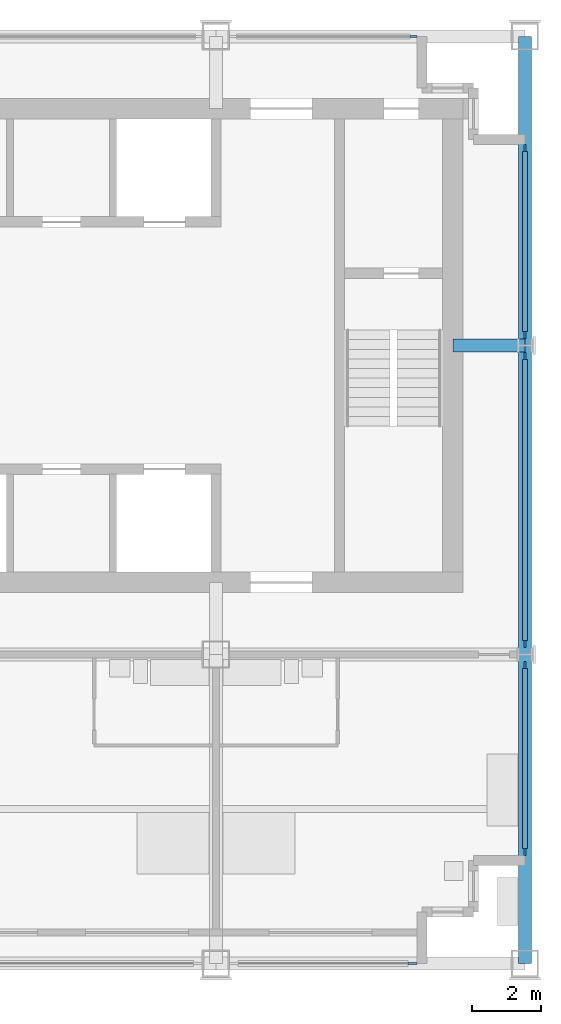
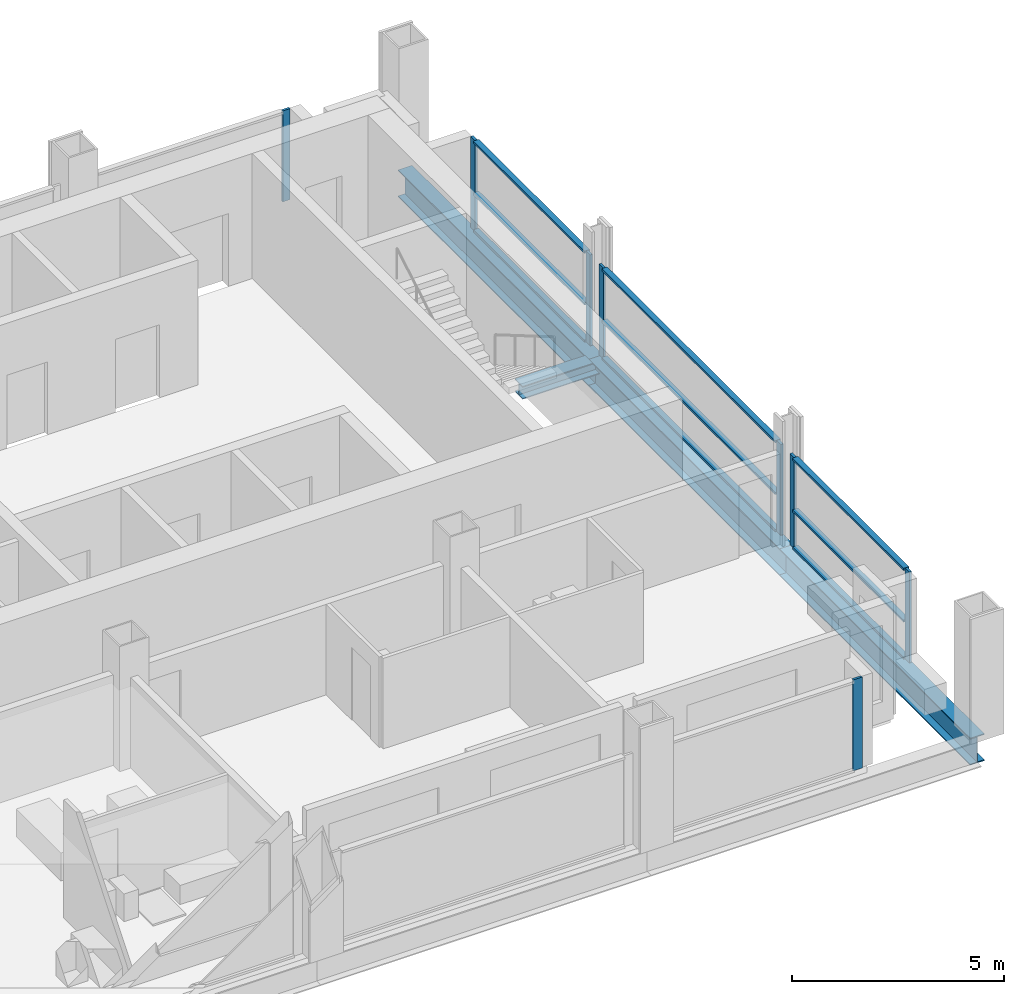
# One storey, part 4 of 11: 18 members, 3 beams, 5 elements without a shape of their own.
"""IFC4 building model written with IfcOpenShell, lengths in metres."""

from ifc_helpers import new_model, si_unit, direction, frame, origin, origin_2d, place, context, subcontext, project, spatial, rectangle, i_section, extrude, material, material_profile, profile_set, type_object, element, aggregate, save


model = new_model("IFC4")

# Units and contexts
model_context = context("Model", 3, precision=1e-05, world=origin(), true_north=direction((0.0, 1.0)))
body_context = subcontext(model_context, "Body", "Model", "MODEL_VIEW")
ifc_project = project(units=[si_unit("LENGTHUNIT", "METRE"), si_unit("AREAUNIT", "SQUARE_METRE"), si_unit("VOLUMEUNIT", "CUBIC_METRE"), si_unit("PLANEANGLEUNIT", "RADIAN"), si_unit("MASSUNIT", "GRAM", prefix="KILO")], contexts=[model_context])

# Site, building, storey
site_placement = place(None, origin())
site = spatial("IfcSite", under=ifc_project, at=site_placement, CompositionType="ELEMENT")
building_placement = place(site_placement, origin())
building = spatial("IfcBuilding", under=site, at=building_placement, Name="Loomwork Tower", CompositionType="ELEMENT")
storey_placement = place(building_placement, frame((0.0, 0.0, 241.0)))
storey = spatial("IfcBuildingStorey", under=building, at=storey_placement, Name="L66", CompositionType="ELEMENT", Elevation=241.0)

# Member
ifc_material_1 = material(Name="Steel ASTM A992", Category="steel")
ifc_material_profile_1 = material_profile(ifc_material_1, i_section(OverallWidth=0.373291015625, OverallDepth=0.373291015625, WebThickness=0.016357421875, FlangeThickness=0.026123046875, at=origin_2d()), Name="W14x132")
ifc_profile_set_1 = profile_set([ifc_material_profile_1], Name="Steel ASTM A992")
member_type_1 = type_object("IfcMemberType", Name="CORE LINK STRUT W14x132", PredefinedType="STRUT", material=ifc_profile_set_1)
member_1_placement = place(storey_placement, frame((36.0, 18.0, -0.38671875), z_axis=(-1.0, 0.0, 0.0), x_axis=(0.0, -1.0, 0.0)))
element("IfcMember", 1, at=member_1_placement, inside=storey, type_object=member_type_1, Name="Core link strut F/6-33.900,18.000 L66", PredefinedType="STRUT", context=body_context, shape_type="SweptSolid", body=[
    extrude(i_section(OverallWidth=0.373291015625, OverallDepth=0.373291015625, WebThickness=0.016357421875, FlangeThickness=0.026123046875, at=origin_2d()), origin(), (0.0, 0.0, 1.0), 2.10009765625),
])

# Curtain wall, member
ifc_material_2 = material(Name="Aluminium curtain wall frame", Category="aluminium")
curtain_wall_type_1 = type_object("IfcCurtainWallType", Name="Outer skin glazing suites", PredefinedType="NOTDEFINED", material=ifc_material_2)
curtain_wall_1_placement = place(storey_placement, origin())
curtain_wall_1 = element("IfcCurtainWall", 2, at=curtain_wall_1_placement, inside=storey, type_object=curtain_wall_type_1, Name="Outer skin glazing suites cw/S-27", PredefinedType="NOTDEFINED")
ifc_material_3 = material(Name="Aluminium curtain wall frame", Category="aluminium")
ifc_material_profile_2 = material_profile(ifc_material_3, rectangle(XDim=0.06494140625, YDim=0.25, at=origin_2d()), Name="AL 65x250")
ifc_profile_set_2 = profile_set([ifc_material_profile_2], Name="Aluminium curtain wall frame")
member_type_2 = type_object("IfcMemberType", Name="Outer skin glazing suites mullion", PredefinedType="MULLION", material=ifc_profile_set_2)
member_2_placement = place(storey_placement, frame((32.72509765625, 0.0, 0.0), z_axis=(0.0, 0.0, 1.0), x_axis=(0.0, 1.0, 0.0)))
member_2 = element("IfcMember", 3, at=member_2_placement, type_object=member_type_2, Name="CW2 mullion 2", PredefinedType="MULLION", context=body_context, shape_type="SweptSolid", body=[
    extrude(rectangle(XDim=0.06494140625, YDim=0.25, at=origin_2d()), origin(), (0.0, 0.0, 1.0), 2.6201171875),
])
aggregate(curtain_wall_1, [member_2])

# Beams
ifc_material_4 = material(Name="Steel ASTM A992", Category="steel")
ifc_material_profile_3 = material_profile(ifc_material_4, i_section(OverallWidth=0.381103515625, OverallDepth=0.77978515625, WebThickness=0.01806640625, FlangeThickness=0.0302734375, at=origin_2d()), Name="W30x191")
ifc_profile_set_3 = profile_set([ifc_material_profile_3], Name="Steel ASTM A992")
beam_type = type_object("IfcBeamType", Name="SPANDREL GIRDER W30x191", PredefinedType="SPANDREL", material=ifc_profile_set_3)
for number, where, z_axis, x_axis, name in (
    (4, (36.0, 0.0, -0.58984375), (0.0, 1.0, 0.0), (-1.0, 0.0, 0.0), "Spandrel Girder D/6-E/6 L66"),
    (5, (36.0, 9.0, -0.58984375), (0.0, 1.0, 0.0), (-1.0, 0.0, 0.0), "Spandrel Girder E/6-F/6 L66"),
    (6, (36.0, 18.0, -0.58984375), (0.0, 1.0, 0.0), (-1.0, 0.0, 0.0), "Spandrel Girder F/6-G/6 L66"),
):
    element("IfcBeam", number, at=place(storey_placement, frame(where, z_axis=z_axis, x_axis=x_axis)), inside=storey, type_object=beam_type, Name=name, PredefinedType="SPANDREL", context=body_context, shape_type="SweptSolid", body=[
        extrude(i_section(OverallWidth=0.381103515625, OverallDepth=0.77978515625, WebThickness=0.01806640625, FlangeThickness=0.0302734375, at=origin_2d()), origin(), (0.0, 0.0, 1.0), 9.0),
    ])

# Curtain wall, member
ifc_material_5 = material(Name="Aluminium curtain wall frame", Category="aluminium")
curtain_wall_type_2 = type_object("IfcCurtainWallType", Name="Single skin glazing corridor", PredefinedType="NOTDEFINED", material=ifc_material_5)
curtain_wall_2_placement = place(storey_placement, origin())
curtain_wall_2 = element("IfcCurtainWall", 7, at=curtain_wall_2_placement, inside=storey, type_object=curtain_wall_type_2, Name="Single skin glazing corridor cw/N-27", PredefinedType="NOTDEFINED")
ifc_material_6 = material(Name="Aluminium curtain wall frame", Category="aluminium")
ifc_material_profile_4 = material_profile(ifc_material_6, rectangle(XDim=0.06494140625, YDim=0.199951171875, at=origin_2d()), Name="AL 65x200")
ifc_profile_set_4 = profile_set([ifc_material_profile_4], Name="Aluminium curtain wall frame")
member_type_3 = type_object("IfcMemberType", Name="Single skin glazing corridor mullion", PredefinedType="MULLION", material=ifc_profile_set_4)
member_3_placement = place(storey_placement, frame((32.75, 27.0, 0.0), z_axis=(0.0, 0.0, 1.0), x_axis=(0.0, -1.0, 0.0)))
member_3 = element("IfcMember", 8, at=member_3_placement, type_object=member_type_3, Name="CW3 mullion 1", PredefinedType="MULLION", context=body_context, shape_type="SweptSolid", body=[
    extrude(rectangle(XDim=0.06494140625, YDim=0.199951171875, at=origin_2d()), origin(), (0.0, 0.0, 1.0), 2.6201171875),
])
aggregate(curtain_wall_2, [member_3])

# Curtain wall, members
curtain_wall_3_placement = place(storey_placement, origin())
curtain_wall_3 = element("IfcCurtainWall", 9, at=curtain_wall_3_placement, inside=storey, type_object=curtain_wall_type_2, Name="Single skin glazing corridor cw/E-0", PredefinedType="NOTDEFINED")
member_4_placement = place(storey_placement, frame((36.0, 3.25, 0.0), z_axis=(0.0, 0.0, 1.0), x_axis=(-1.0, 0.0, 0.0)))
member_4 = element("IfcMember", 10, at=member_4_placement, type_object=member_type_3, Name="CW3 mullion 1", PredefinedType="MULLION", context=body_context, shape_type="SweptSolid", body=[
    extrude(rectangle(XDim=0.06494140625, YDim=0.199951171875, at=origin_2d()), origin(), (0.0, 0.0, 1.0), 2.6201171875),
])
member_5_placement = place(storey_placement, frame((36.0, 8.689208984375, 0.0), z_axis=(0.0, 0.0, 1.0), x_axis=(-1.0, 0.0, 0.0)))
member_5 = element("IfcMember", 11, at=member_5_placement, type_object=member_type_3, Name="CW3 mullion 2", PredefinedType="MULLION", context=body_context, shape_type="SweptSolid", body=[
    extrude(rectangle(XDim=0.06494140625, YDim=0.199951171875, at=origin_2d()), origin(), (0.0, 0.0, 1.0), 2.6201171875),
])

curtain_wall_4_placement = place(storey_placement, origin())
curtain_wall_4 = element("IfcCurtainWall", 12, at=curtain_wall_4_placement, inside=storey, type_object=curtain_wall_type_2, Name="Single skin glazing corridor cw/E-9", PredefinedType="NOTDEFINED")
member_6_placement = place(storey_placement, frame((36.0, 9.310791015625, 0.0), z_axis=(0.0, 0.0, 1.0), x_axis=(-1.0, 0.0, 0.0)))
member_6 = element("IfcMember", 13, at=member_6_placement, type_object=member_type_3, Name="CW3 mullion 1", PredefinedType="MULLION", context=body_context, shape_type="SweptSolid", body=[
    extrude(rectangle(XDim=0.06494140625, YDim=0.199951171875, at=origin_2d()), origin(), (0.0, 0.0, 1.0), 2.6201171875),
])
member_7_placement = place(storey_placement, frame((36.0, 17.689208984375, 0.0), z_axis=(0.0, 0.0, 1.0), x_axis=(-1.0, 0.0, 0.0)))
member_7 = element("IfcMember", 14, at=member_7_placement, type_object=member_type_3, Name="CW3 mullion 2", PredefinedType="MULLION", context=body_context, shape_type="SweptSolid", body=[
    extrude(rectangle(XDim=0.06494140625, YDim=0.199951171875, at=origin_2d()), origin(), (0.0, 0.0, 1.0), 2.6201171875),
])

curtain_wall_5_placement = place(storey_placement, origin())
curtain_wall_5 = element("IfcCurtainWall", 15, at=curtain_wall_5_placement, inside=storey, type_object=curtain_wall_type_2, Name="Single skin glazing corridor cw/E-18", PredefinedType="NOTDEFINED")
member_8_placement = place(storey_placement, frame((36.0, 18.310791015625, 0.0), z_axis=(0.0, 0.0, 1.0), x_axis=(-1.0, 0.0, 0.0)))
member_8 = element("IfcMember", 16, at=member_8_placement, type_object=member_type_3, Name="CW3 mullion 1", PredefinedType="MULLION", context=body_context, shape_type="SweptSolid", body=[
    extrude(rectangle(XDim=0.06494140625, YDim=0.199951171875, at=origin_2d()), origin(), (0.0, 0.0, 1.0), 2.6201171875),
])
member_9_placement = place(storey_placement, frame((36.0, 23.75, 0.0), z_axis=(0.0, 0.0, 1.0), x_axis=(-1.0, 0.0, 0.0)))
member_9 = element("IfcMember", 17, at=member_9_placement, type_object=member_type_3, Name="CW3 mullion 2", PredefinedType="MULLION", context=body_context, shape_type="SweptSolid", body=[
    extrude(rectangle(XDim=0.06494140625, YDim=0.199951171875, at=origin_2d()), origin(), (0.0, 0.0, 1.0), 2.6201171875),
])

# Member
ifc_material_7 = material(Name="Aluminium curtain wall frame", Category="aluminium")
ifc_material_profile_5 = material_profile(ifc_material_7, rectangle(XDim=0.14990234375, YDim=0.06494140625, at=origin_2d()), Name="AL 65x150")
ifc_profile_set_5 = profile_set([ifc_material_profile_5], Name="Aluminium curtain wall frame")
member_type_4 = type_object("IfcMemberType", Name="Single skin glazing corridor transom", PredefinedType="USERDEFINED", material=ifc_profile_set_5)
member_10_placement = place(storey_placement, frame((36.0, 3.35009765625, 0.032470703125), z_axis=(0.0, 1.0, 0.0), x_axis=(-1.0, 0.0, 0.0)))
member_10 = element("IfcMember", 18, at=member_10_placement, type_object=member_type_4, Name="CW3 transom 1.1", ObjectType="TRANSOM", PredefinedType="USERDEFINED", context=body_context, shape_type="SweptSolid", body=[
    extrude(rectangle(XDim=0.14990234375, YDim=0.06494140625, at=origin_2d()), origin(), (0.0, 0.0, 1.0), 5.239013671875),
])

member_11_placement = place(storey_placement, frame((36.0, 3.35009765625, 1.10009765625), z_axis=(0.0, 1.0, 0.0), x_axis=(-1.0, 0.0, 0.0)))
member_11 = element("IfcMember", 19, at=member_11_placement, type_object=member_type_4, Name="CW3 transom 1.2", ObjectType="TRANSOM", PredefinedType="USERDEFINED", context=body_context, shape_type="SweptSolid", body=[
    extrude(rectangle(XDim=0.14990234375, YDim=0.06494140625, at=origin_2d()), origin(), (0.0, 0.0, 1.0), 5.239013671875),
])

member_12_placement = place(storey_placement, frame((36.0, 3.35009765625, 2.587646484375), z_axis=(0.0, 1.0, 0.0), x_axis=(-1.0, 0.0, 0.0)))
member_12 = element("IfcMember", 20, at=member_12_placement, type_object=member_type_4, Name="CW3 transom 1.3", ObjectType="TRANSOM", PredefinedType="USERDEFINED", context=body_context, shape_type="SweptSolid", body=[
    extrude(rectangle(XDim=0.14990234375, YDim=0.06494140625, at=origin_2d()), origin(), (0.0, 0.0, 1.0), 5.239013671875),
])

aggregate(curtain_wall_3, [member_4, member_5, member_10, member_11, member_12])

member_13_placement = place(storey_placement, frame((36.0, 9.410888671875, 0.032470703125), z_axis=(0.0, 1.0, 0.0), x_axis=(-1.0, 0.0, 0.0)))
member_13 = element("IfcMember", 21, at=member_13_placement, type_object=member_type_4, Name="CW3 transom 1.1", ObjectType="TRANSOM", PredefinedType="USERDEFINED", context=body_context, shape_type="SweptSolid", body=[
    extrude(rectangle(XDim=0.14990234375, YDim=0.06494140625, at=origin_2d()), origin(), (0.0, 0.0, 1.0), 8.17822265625),
])

member_14_placement = place(storey_placement, frame((36.0, 9.410888671875, 1.10009765625), z_axis=(0.0, 1.0, 0.0), x_axis=(-1.0, 0.0, 0.0)))
member_14 = element("IfcMember", 22, at=member_14_placement, type_object=member_type_4, Name="CW3 transom 1.2", ObjectType="TRANSOM", PredefinedType="USERDEFINED", context=body_context, shape_type="SweptSolid", body=[
    extrude(rectangle(XDim=0.14990234375, YDim=0.06494140625, at=origin_2d()), origin(), (0.0, 0.0, 1.0), 8.17822265625),
])

member_15_placement = place(storey_placement, frame((36.0, 9.410888671875, 2.587646484375), z_axis=(0.0, 1.0, 0.0), x_axis=(-1.0, 0.0, 0.0)))
member_15 = element("IfcMember", 23, at=member_15_placement, type_object=member_type_4, Name="CW3 transom 1.3", ObjectType="TRANSOM", PredefinedType="USERDEFINED", context=body_context, shape_type="SweptSolid", body=[
    extrude(rectangle(XDim=0.14990234375, YDim=0.06494140625, at=origin_2d()), origin(), (0.0, 0.0, 1.0), 8.17822265625),
])

aggregate(curtain_wall_4, [member_6, member_7, member_13, member_14, member_15])

member_16_placement = place(storey_placement, frame((36.0, 18.410888671875, 0.032470703125), z_axis=(0.0, 1.0, 0.0), x_axis=(-1.0, 0.0, 0.0)))
member_16 = element("IfcMember", 24, at=member_16_placement, type_object=member_type_4, Name="CW3 transom 1.1", ObjectType="TRANSOM", PredefinedType="USERDEFINED", context=body_context, shape_type="SweptSolid", body=[
    extrude(rectangle(XDim=0.14990234375, YDim=0.06494140625, at=origin_2d()), origin(), (0.0, 0.0, 1.0), 5.239013671875),
])

member_17_placement = place(storey_placement, frame((36.0, 18.410888671875, 1.10009765625), z_axis=(0.0, 1.0, 0.0), x_axis=(-1.0, 0.0, 0.0)))
member_17 = element("IfcMember", 25, at=member_17_placement, type_object=member_type_4, Name="CW3 transom 1.2", ObjectType="TRANSOM", PredefinedType="USERDEFINED", context=body_context, shape_type="SweptSolid", body=[
    extrude(rectangle(XDim=0.14990234375, YDim=0.06494140625, at=origin_2d()), origin(), (0.0, 0.0, 1.0), 5.239013671875),
])

member_18_placement = place(storey_placement, frame((36.0, 18.410888671875, 2.587646484375), z_axis=(0.0, 1.0, 0.0), x_axis=(-1.0, 0.0, 0.0)))
member_18 = element("IfcMember", 26, at=member_18_placement, type_object=member_type_4, Name="CW3 transom 1.3", ObjectType="TRANSOM", PredefinedType="USERDEFINED", context=body_context, shape_type="SweptSolid", body=[
    extrude(rectangle(XDim=0.14990234375, YDim=0.06494140625, at=origin_2d()), origin(), (0.0, 0.0, 1.0), 5.239013671875),
])

aggregate(curtain_wall_5, [member_8, member_9, member_16, member_17, member_18])

save(model, "model.ifc")
